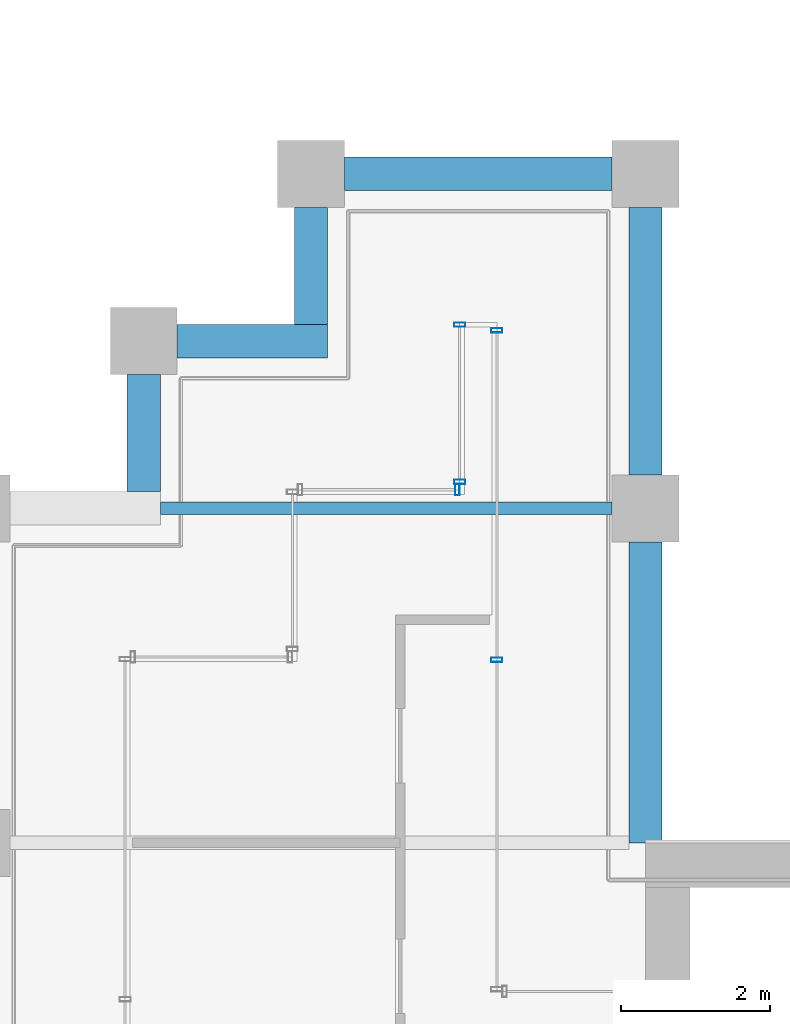
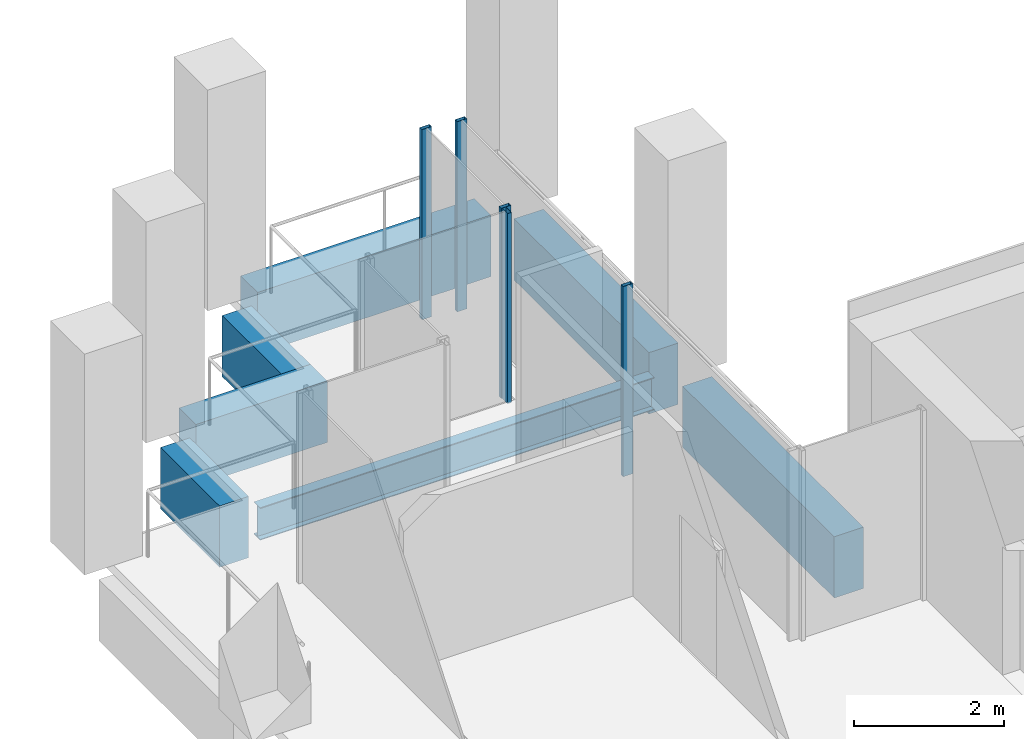
# One storey, part 33 of 40: 7 beams, 5 members, 3 elements without a shape of their own.
"""IFC4 building model written with IfcOpenShell, lengths in metres."""

from ifc_helpers import new_model, si_unit, direction, frame, origin, origin_2d, place, context, subcontext, project, spatial, rectangle, hollow_rectangle, i_section, extrude, material, material_profile, profile_set, type_object, element, aggregate, save


model = new_model("IFC4")

# Units and contexts
model_context = context("Model", 3, precision=1e-05, world=origin(), true_north=direction((0.0, 1.0)))
body_context = subcontext(model_context, "Body", "Model", "MODEL_VIEW")
ifc_project = project(units=[si_unit("LENGTHUNIT", "METRE"), si_unit("AREAUNIT", "SQUARE_METRE"), si_unit("VOLUMEUNIT", "CUBIC_METRE"), si_unit("PLANEANGLEUNIT", "RADIAN"), si_unit("MASSUNIT", "GRAM", prefix="KILO")], contexts=[model_context])

# Site, building, storey
site_placement = place(None, origin())
site = spatial("IfcSite", under=ifc_project, at=site_placement, CompositionType="ELEMENT")
building_placement = place(site_placement, origin())
building = spatial("IfcBuilding", under=site, at=building_placement, Name="Altepetl Exchange Towers", CompositionType="ELEMENT")
storey_placement = place(building_placement, frame((0.0, 0.0, 187.0)))
storey = spatial("IfcBuildingStorey", under=building, at=storey_placement, Name="L47", CompositionType="ELEMENT", Elevation=187.0)

# Beam
ifc_material_1 = material(Name="Steel S355", Category="steel")
ifc_material_profile_1 = material_profile(ifc_material_1, i_section(OverallWidth=0.166015625, OverallDepth=0.529052734375, WebThickness=0.009765625, FlangeThickness=0.013671875, at=origin_2d()), Name="W21X50")
ifc_profile_set_1 = profile_set([ifc_material_profile_1], Name="Steel S355")
beam_type_1 = type_object("IfcBeamType", Name="Floor beam W21X50", PredefinedType="BEAM", material=ifc_profile_set_1)
beam_1_placement = place(storey_placement, frame((96.97509765625, 54.0, -0.41455078125), z_axis=(1.0, 0.0, 0.0), x_axis=(0.0, 1.0, 0.0)))
element("IfcBeam", 1, at=beam_1_placement, inside=storey, type_object=beam_type_1, Name="bm:B:L47:007", PredefinedType="BEAM", context=body_context, shape_type="SweptSolid", body=[
    extrude(i_section(OverallWidth=0.166015625, OverallDepth=0.529052734375, WebThickness=0.009765625, FlangeThickness=0.013671875, at=origin_2d()), origin(), (0.0, 0.0, 1.0), 6.074951171875),
])

# Curtain wall, members
ifc_material_2 = material(Name="Aluminium 6063-T6 glazing", Category="aluminium")
curtain_wall_type = type_object("IfcCurtainWallType", Name="Loggia glazing system", PredefinedType="NOTDEFINED", material=ifc_material_2)
curtain_wall_1_placement = place(storey_placement, origin())
curtain_wall_1 = element("IfcCurtainWall", 2, at=curtain_wall_1_placement, inside=storey, type_object=curtain_wall_type, Name="CW1 run", PredefinedType="NOTDEFINED")
ifc_material_3 = material(Name="Aluminium 6063-T6", Category="aluminium")
ifc_material_profile_2 = material_profile(ifc_material_3, hollow_rectangle(XDim=0.06005859375, YDim=0.14990234375, WallThickness=0.0029296875, at=origin_2d()), Name="Mullion 60x150 aluminium")
ifc_profile_set_2 = profile_set([ifc_material_profile_2], Name="Aluminium 6063-T6")
member_type = type_object("IfcMemberType", Name="Mullion 60x150 aluminium", PredefinedType="MULLION", material=ifc_profile_set_2)
member_1_placement = place(storey_placement, frame((101.5, 51.96240234375, 0.0), z_axis=(0.0, 0.0, 1.0), x_axis=(0.0, 1.0, 0.0)))
member_1 = element("IfcMember", 3, at=member_1_placement, type_object=member_type, Name="MU1 mullion", PredefinedType="MULLION", context=body_context, shape_type="SweptSolid", body=[
    extrude(hollow_rectangle(XDim=0.06005859375, YDim=0.14990234375, WallThickness=0.0029296875, at=origin_2d()), origin(), (0.0, 0.0, 1.0), 3.10009765625),
])
member_2_placement = place(storey_placement, frame((101.5, 56.39501953125, 0.0), z_axis=(0.0, 0.0, 1.0), x_axis=(0.0, 1.0, 0.0)))
member_2 = element("IfcMember", 4, at=member_2_placement, type_object=member_type, Name="MU1 mullion", PredefinedType="MULLION", context=body_context, shape_type="SweptSolid", body=[
    extrude(hollow_rectangle(XDim=0.06005859375, YDim=0.14990234375, WallThickness=0.0029296875, at=origin_2d()), origin(), (0.0, 0.0, 1.0), 3.10009765625),
])
aggregate(curtain_wall_1, [member_1, member_2])

curtain_wall_2_placement = place(storey_placement, origin())
curtain_wall_2 = element("IfcCurtainWall", 5, at=curtain_wall_2_placement, inside=storey, type_object=curtain_wall_type, Name="CW1 run", PredefinedType="NOTDEFINED")
member_3_placement = place(storey_placement, frame((101.0, 56.469970703125, 0.0), z_axis=(0.0, 0.0, 1.0), x_axis=(0.0, -1.0, 0.0)))
member_3 = element("IfcMember", 6, at=member_3_placement, type_object=member_type, Name="MU1 mullion", PredefinedType="MULLION", context=body_context, shape_type="SweptSolid", body=[
    extrude(hollow_rectangle(XDim=0.06005859375, YDim=0.14990234375, WallThickness=0.0029296875, at=origin_2d()), origin(), (0.0, 0.0, 1.0), 3.10009765625),
])
member_4_placement = place(storey_placement, frame((101.0, 54.35498046875, 0.0), z_axis=(0.0, 0.0, 1.0), x_axis=(0.0, -1.0, 0.0)))
member_4 = element("IfcMember", 7, at=member_4_placement, type_object=member_type, Name="MU1 mullion", PredefinedType="MULLION", context=body_context, shape_type="SweptSolid", body=[
    extrude(hollow_rectangle(XDim=0.06005859375, YDim=0.14990234375, WallThickness=0.0029296875, at=origin_2d()), origin(), (0.0, 0.0, 1.0), 3.10009765625),
])
aggregate(curtain_wall_2, [member_3, member_4])

# Curtain wall, member
curtain_wall_3_placement = place(storey_placement, origin())
curtain_wall_3 = element("IfcCurtainWall", 8, at=curtain_wall_3_placement, inside=storey, type_object=curtain_wall_type, Name="CW1 run", PredefinedType="NOTDEFINED")
member_5_placement = place(storey_placement, frame((100.969970703125, 54.25, 0.0), z_axis=(0.0, 0.0, 1.0), x_axis=(-1.0, 0.0, 0.0)))
member_5 = element("IfcMember", 9, at=member_5_placement, type_object=member_type, Name="MU1 mullion", PredefinedType="MULLION", context=body_context, shape_type="SweptSolid", body=[
    extrude(hollow_rectangle(XDim=0.06005859375, YDim=0.14990234375, WallThickness=0.0029296875, at=origin_2d()), origin(), (0.0, 0.0, 1.0), 3.10009765625),
])
aggregate(curtain_wall_3, [member_5])

# Beams
ifc_material_4 = material(Name="Concrete C50/60 precast with cantera rosa facing", Category="concrete")
ifc_material_profile_3 = material_profile(ifc_material_4, rectangle(XDim=0.449951171875, YDim=1.0, at=origin_2d()), Name="450 x 1000")
ifc_profile_set_3 = profile_set([ifc_material_profile_3], Name="Concrete C50/60 precast with cantera rosa facing")
beam_type_2 = type_object("IfcBeamType", Name="Spandrel beam 450x1000 cantera rosa", PredefinedType="SPANDREL", material=ifc_profile_set_3)
beam_2_placement = place(storey_placement, frame((103.5, 49.5, -0.64990234375), z_axis=(0.0, 1.0, 0.0), x_axis=(-1.0, 0.0, 0.0)))
element("IfcBeam", 10, at=beam_2_placement, inside=storey, type_object=beam_type_2, Name="sp:B:L47:008", PredefinedType="SPANDREL", context=body_context, shape_type="SweptSolid", body=[
    extrude(rectangle(XDim=0.449951171875, YDim=1.0, at=origin_2d()), origin(), (0.0, 0.0, 1.0), 4.050048828125),
])
for number, where, z_axis, x_axis, name in (
    (11, (103.5, 54.449951171875, -0.64990234375), (0.0, 1.0, 0.0), (-1.0, 0.0, 0.0), "sp:B:L47:009"),
    (12, (103.050048828125, 58.5, -0.64990234375), (-1.0, 0.0, 0.0), (0.0, -1.0, 0.0), "sp:B:L47:010"),
):
    element("IfcBeam", number, at=place(storey_placement, frame(where, z_axis=z_axis, x_axis=x_axis)), inside=storey, type_object=beam_type_2, Name=name, PredefinedType="SPANDREL", context=body_context, shape_type="SweptSolid", body=[
        extrude(rectangle(XDim=0.449951171875, YDim=1.0, at=origin_2d()), origin(), (0.0, 0.0, 1.0), 3.60009765625),
    ])
beam_3_placement = place(storey_placement, frame((99.0, 58.050048828125, -0.64990234375), z_axis=(0.0, -1.0, 0.0), x_axis=(1.0, 0.0, 0.0)))
element("IfcBeam", 13, at=beam_3_placement, inside=storey, type_object=beam_type_2, Name="sp:B:L47:011", PredefinedType="SPANDREL", context=body_context, shape_type="SweptSolid", body=[
    extrude(rectangle(XDim=0.449951171875, YDim=1.0, at=origin_2d()), origin(), (0.0, 0.0, 1.0), 1.574951171875),
])
beam_4_placement = place(storey_placement, frame((99.22509765625, 56.25, -0.64990234375), z_axis=(-1.0, 0.0, 0.0), x_axis=(0.0, -1.0, 0.0)))
element("IfcBeam", 14, at=beam_4_placement, inside=storey, type_object=beam_type_2, Name="sp:B:L47:012", PredefinedType="SPANDREL", context=body_context, shape_type="SweptSolid", body=[
    extrude(rectangle(XDim=0.449951171875, YDim=1.0, at=origin_2d()), origin(), (0.0, 0.0, 1.0), 2.025146484375),
])
beam_5_placement = place(storey_placement, frame((96.75, 55.800048828125, -0.64990234375), z_axis=(0.0, -1.0, 0.0), x_axis=(1.0, 0.0, 0.0)))
element("IfcBeam", 15, at=beam_5_placement, inside=storey, type_object=beam_type_2, Name="sp:B:L47:013", PredefinedType="SPANDREL", context=body_context, shape_type="SweptSolid", body=[
    extrude(rectangle(XDim=0.449951171875, YDim=1.0, at=origin_2d()), origin(), (0.0, 0.0, 1.0), 1.574951171875),
])

save(model, "model.ifc")
